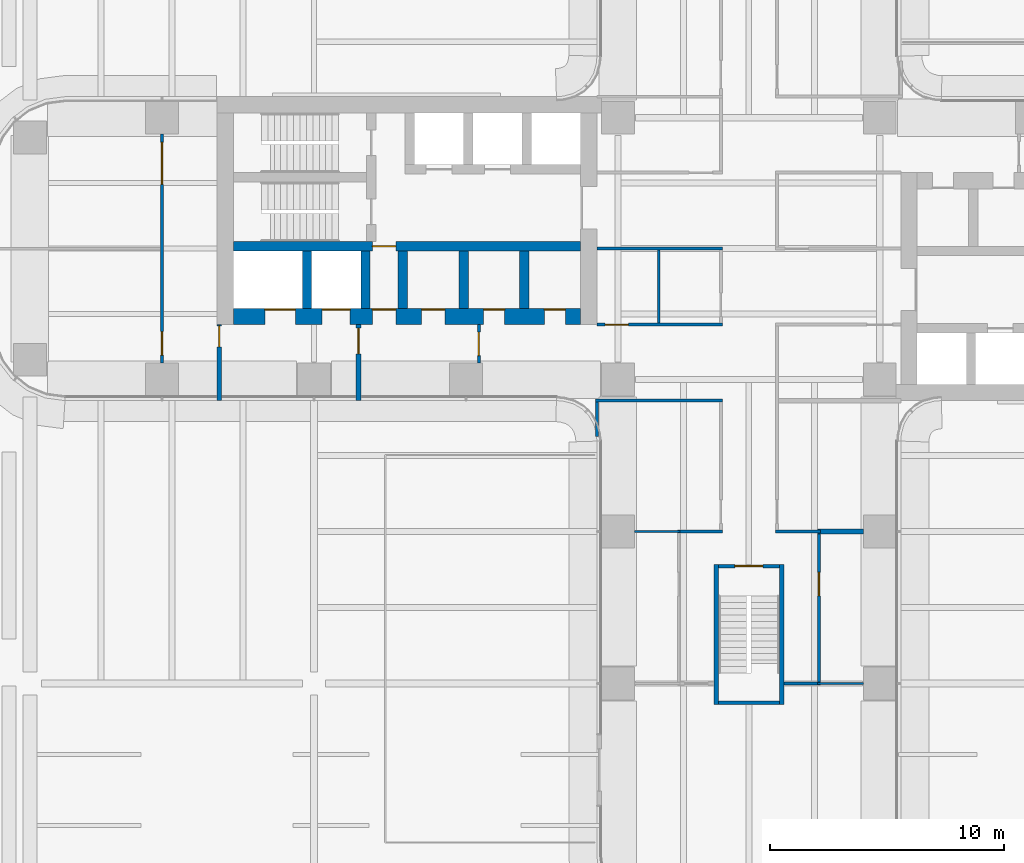
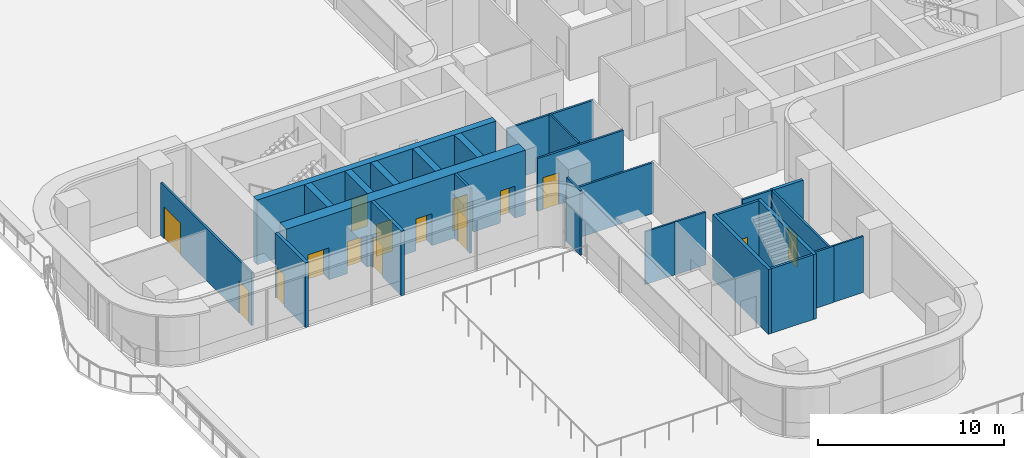
# One storey, part 21 of 29: 27 walls, 15 doors, 15 openings.
"""IFC4 building model written with IfcOpenShell, lengths in metres."""

from ifc_helpers import new_model, si_unit, direction, frame, frame_2d, origin, place, context, subcontext, project, spatial, rectangle, extrude, source, transform, mapped, material, layer, layer_set, type_object, element, fill, save


model = new_model("IFC4")

# Units and contexts
model_context = context("Model", 3, precision=1e-05, world=origin(), true_north=direction((0.0, 1.0)))
body_context = subcontext(model_context, "Body", "Model", "MODEL_VIEW")
ifc_project = project(units=[si_unit("LENGTHUNIT", "METRE"), si_unit("AREAUNIT", "SQUARE_METRE"), si_unit("VOLUMEUNIT", "CUBIC_METRE"), si_unit("PLANEANGLEUNIT", "RADIAN"), si_unit("MASSUNIT", "GRAM", prefix="KILO")], contexts=[model_context])

# Site, building, storey
site_placement = place(None, origin())
site = spatial("IfcSite", under=ifc_project, at=site_placement, CompositionType="ELEMENT")
building_placement = place(site_placement, origin())
building = spatial("IfcBuilding", under=site, at=building_placement, Name="Trellis Farm Tower", CompositionType="ELEMENT")
storey_placement = place(building_placement, frame((0.0, 0.0, 34.0)))
storey = spatial("IfcBuildingStorey", under=building, at=storey_placement, Name="L06", CompositionType="ELEMENT", Elevation=34.0)

# Walls
ifc_material_1 = material(Name="Concrete C80/95", Category="concrete")
ifc_layer_1 = layer(ifc_material_1, 0.39990234375)
ifc_layer_set_1 = layer_set([ifc_layer_1], Name="CORE INNER WALL 400 CONCRETE C80/95")
wall_type_1 = type_object("IfcWallType", Name="CORE INNER WALL 400 CONCRETE C80/95", PredefinedType="SHEAR", material=ifc_layer_set_1)
shared_shape_1 = source(origin(), body_context, "Body", "SweptSolid", [
    extrude(rectangle(XDim=2.449951171875, YDim=0.39990234375, at=frame_2d((1.22509765625, 0.0))), origin(), (0.0, 0.0, 1.0), 4.25),
])
for number, where, z_axis, x_axis, name in (
    (1, (-9.60009765625, -0.10009765625, 0.0), (0.0, 0.0, 1.0), (0.0, -1.0, 0.0), "Core wall"),
    (2, (-12.199951171875, -0.10009765625, 0.0), (0.0, 0.0, 1.0), (0.0, -1.0, 0.0), "Core wall"),
    (3, (-14.800048828125, -0.10009765625, 0.0), (0.0, 0.0, 1.0), (0.0, -1.0, 0.0), "Core wall"),
    (4, (-16.39990234375, -0.10009765625, 0.0), (0.0, 0.0, 1.0), (0.0, -1.0, 0.0), "Core wall"),
    (5, (-18.89990234375, -0.10009765625, 0.0), (0.0, 0.0, 1.0), (0.0, -1.0, 0.0), "Core wall"),
):
    element("IfcWall", number, at=place(storey_placement, frame(where, z_axis=z_axis, x_axis=x_axis)), inside=storey, type_object=wall_type_1, Name=name, PredefinedType="SHEAR", context=body_context, shape_type="MappedRepresentation", body=[
        mapped(shared_shape_1, transform((0.0, 0.0, 0.0))),
    ])

# Wall, opening, door
ifc_material_2 = material(Name="Masonry blockwork", Category="masonry")
ifc_layer_2 = layer(ifc_material_2, 0.199951171875)
ifc_layer_set_2 = layer_set([ifc_layer_2], Name="FIRE LOBBY PARTITION 200 BLOCKWORK")
wall_type_2 = type_object("IfcWallType", Name="FIRE LOBBY PARTITION 200 BLOCKWORK", PredefinedType="PARTITIONING", material=ifc_layer_set_2)
shared_shape_2 = source(origin(), body_context, "Body", "SweptSolid", [
    extrude(rectangle(XDim=3.25, YDim=0.199951171875, at=frame_2d((1.625, 0.0))), origin(), (0.0, 0.0, 1.0), 4.25),
])
wall_1_placement = place(storey_placement, frame((-16.699951171875, -3.25, 0.0), z_axis=(0.0, 0.0, 1.0), x_axis=(0.0, -1.0, 0.0)))
wall_1 = element("IfcWall", 6, at=wall_1_placement, inside=storey, type_object=wall_type_2, Name="Fire-fighting lobby partition", PredefinedType="PARTITIONING", context=body_context, shape_type="MappedRepresentation", body=[
    mapped(shared_shape_2, transform((0.0, 0.0, 0.0))),
])
shared_shape_3 = source(origin(), body_context, "Body", "SweptSolid", [
    extrude(rectangle(XDim=1.10009765625, YDim=2.10009765625, at=frame_2d((0.550048828125, 1.050048828125))), frame((0.0, 0.110107421875, 0.0), z_axis=(0.0, -1.0, 0.0), x_axis=(1.0, 0.0, 0.0)), (0.0, 0.0, 1.0), 0.22021484375),
])
opening_1_placement = place(wall_1_placement, frame((0.14990234375, 0.0, 0.0)))
opening_1 = element("IfcOpeningElement", 7, at=opening_1_placement, cuts=wall_1, Name="Opening DC93", PredefinedType="OPENING", context=body_context, shape_type="MappedRepresentation", body=[
    mapped(shared_shape_3, transform((0.0, 0.0, 0.0))),
])
ifc_material_3 = material(Name="Steel", Category="steel")
door_type_1 = type_object("IfcDoorType", Name="CORE FIRE DOOR 1100 X 2100", OperationType="NOTDEFINED", PredefinedType="DOOR", material=ifc_material_3)
shared_shape_4 = source(origin(), body_context, "Body", "SweptSolid", [
    extrude(rectangle(XDim=1.10009765625, YDim=2.10009765625, at=frame_2d((0.550048828125, 1.050048828125))), frame((0.0, 0.02490234375, 0.0), z_axis=(0.0, -1.0, 0.0), x_axis=(1.0, 0.0, 0.0)), (0.0, 0.0, 1.0), 0.050048828125),
])
door_1_placement = place(opening_1_placement, origin())
door_1 = element("IfcDoor", 8, at=door_1_placement, inside=storey, type_object=door_type_1, Name="Core door", OperationType="SINGLE_SWING_RIGHT", OverallHeight=2.10009765625, OverallWidth=1.10009765625, PredefinedType="DOOR", context=body_context, shape_type="MappedRepresentation", body=[
    mapped(shared_shape_4, transform((0.0, 0.0, 0.0))),
])
fill(opening_1, door_1)

wall_2_placement = place(storey_placement, frame((-22.64990234375, -3.25, 0.0), z_axis=(0.0, 0.0, 1.0), x_axis=(0.0, -1.0, 0.0)))
wall_2 = element("IfcWall", 9, at=wall_2_placement, inside=storey, type_object=wall_type_2, Name="Fire-fighting lobby partition", PredefinedType="PARTITIONING", context=body_context, shape_type="MappedRepresentation", body=[
    mapped(shared_shape_2, transform((0.0, 0.0, 0.0))),
])
shared_shape_5 = source(origin(), body_context, "Body", "SweptSolid", [
    extrude(rectangle(XDim=0.89990234375, YDim=2.10009765625, at=frame_2d((0.449951171875, 1.050048828125))), frame((0.0, 0.110107421875, 0.0), z_axis=(0.0, -1.0, 0.0), x_axis=(1.0, 0.0, 0.0)), (0.0, 0.0, 1.0), 0.22021484375),
])
opening_2_placement = place(wall_2_placement, frame((0.050048828125, 0.0, 0.0)))
opening_2 = element("IfcOpeningElement", 10, at=opening_2_placement, cuts=wall_2, Name="Opening DC94", PredefinedType="OPENING", context=body_context, shape_type="MappedRepresentation", body=[
    mapped(shared_shape_5, transform((0.0, 0.0, 0.0))),
])
door_type_2 = type_object("IfcDoorType", Name="CORE FIRE DOOR 900 X 2100", OperationType="NOTDEFINED", PredefinedType="DOOR", material=ifc_material_3)
shared_shape_6 = source(origin(), body_context, "Body", "SweptSolid", [
    extrude(rectangle(XDim=0.89990234375, YDim=2.10009765625, at=frame_2d((0.449951171875, 1.050048828125))), frame((0.0, 0.02490234375, 0.0), z_axis=(0.0, -1.0, 0.0), x_axis=(1.0, 0.0, 0.0)), (0.0, 0.0, 1.0), 0.050048828125),
])
door_2_placement = place(opening_2_placement, origin())
door_2 = element("IfcDoor", 11, at=door_2_placement, inside=storey, type_object=door_type_2, Name="Core door", OperationType="SINGLE_SWING_RIGHT", OverallHeight=2.10009765625, OverallWidth=0.89990234375, PredefinedType="DOOR", context=body_context, shape_type="MappedRepresentation", body=[
    mapped(shared_shape_6, transform((0.0, 0.0, 0.0))),
])
fill(opening_2, door_2)

# Wall, openings, doors
ifc_layer_3 = layer(ifc_material_1, 0.699951171875)
ifc_layer_set_3 = layer_set([ifc_layer_3], Name="CORE OUTER WALL 700 CONCRETE C80/95")
wall_type_3 = type_object("IfcWallType", Name="CORE OUTER WALL 700 CONCRETE C80/95", PredefinedType="SHEAR", material=ifc_layer_set_3)
shared_shape_7 = source(origin(), body_context, "Body", "SweptSolid", [
    extrude(rectangle(XDim=14.85009765625, YDim=0.699951171875, at=frame_2d((7.425048828125, 0.0))), origin(), (0.0, 0.0, 1.0), 4.25),
])
wall_3_placement = place(storey_placement, frame((-7.199951171875, -2.89990234375, 0.0), z_axis=(0.0, 0.0, 1.0), x_axis=(-1.0, 0.0, 0.0)))
wall_3 = element("IfcWall", 12, at=wall_3_placement, inside=storey, type_object=wall_type_3, Name="Core wall", PredefinedType="SHEAR", context=body_context, shape_type="MappedRepresentation", body=[
    mapped(shared_shape_7, transform((0.0, 0.0, 0.0))),
])
shared_shape_8 = source(origin(), body_context, "Body", "SweptSolid", [
    extrude(rectangle(XDim=1.300048828125, YDim=2.10009765625, at=frame_2d((0.64990234375, 1.050048828125))), frame((0.0, 0.360107421875, 0.0), z_axis=(0.0, -1.0, 0.0), x_axis=(1.0, 0.0, 0.0)), (0.0, 0.0, 1.0), 0.72021484375),
])
opening_3_placement = place(wall_3_placement, frame((12.199951171875, 0.0, 0.0)))
opening_3 = element("IfcOpeningElement", 13, at=opening_3_placement, cuts=wall_3, Name="Opening LD15", PredefinedType="OPENING", context=body_context, shape_type="MappedRepresentation", body=[
    mapped(shared_shape_8, transform((0.0, 0.0, 0.0))),
])
shared_shape_9 = source(origin(), body_context, "Body", "SweptSolid", [
    extrude(rectangle(XDim=1.199951171875, YDim=2.10009765625, at=frame_2d((0.60009765625, 1.050048828125))), frame((0.0, 0.360107421875, 0.0), z_axis=(0.0, -1.0, 0.0), x_axis=(1.0, 0.0, 0.0)), (0.0, 0.0, 1.0), 0.72021484375),
])
opening_4_placement = place(wall_3_placement, frame((9.85009765625, 0.0, 0.0)))
opening_4 = element("IfcOpeningElement", 14, at=opening_4_placement, cuts=wall_3, Name="Opening LD16", PredefinedType="OPENING", context=body_context, shape_type="MappedRepresentation", body=[
    mapped(shared_shape_9, transform((0.0, 0.0, 0.0))),
])
shared_shape_10 = source(origin(), body_context, "Body", "SweptSolid", [
    extrude(rectangle(XDim=1.0, YDim=2.10009765625, at=frame_2d((0.5, 1.050048828125))), frame((0.0, 0.360107421875, 0.0), z_axis=(0.0, -1.0, 0.0), x_axis=(1.0, 0.0, 0.0)), (0.0, 0.0, 1.0), 0.72021484375),
])
opening_5_placement = place(wall_3_placement, frame((7.89990234375, 0.0, 0.0)))
opening_5 = element("IfcOpeningElement", 15, at=opening_5_placement, cuts=wall_3, Name="Opening DC92", PredefinedType="OPENING", context=body_context, shape_type="MappedRepresentation", body=[
    mapped(shared_shape_10, transform((0.0, 0.0, 0.0))),
])
shared_shape_11 = source(origin(), body_context, "Body", "SweptSolid", [
    extrude(rectangle(XDim=0.89990234375, YDim=2.10009765625, at=frame_2d((0.449951171875, 1.050048828125))), frame((0.0, 0.360107421875, 0.0), z_axis=(0.0, -1.0, 0.0), x_axis=(1.0, 0.0, 0.0)), (0.0, 0.0, 1.0), 0.72021484375),
])
opening_6_placement = place(wall_3_placement, frame((0.64990234375, 0.0, 0.0)))
opening_6 = element("IfcOpeningElement", 16, at=opening_6_placement, cuts=wall_3, Name="Opening DC97", PredefinedType="OPENING", context=body_context, shape_type="MappedRepresentation", body=[
    mapped(shared_shape_11, transform((0.0, 0.0, 0.0))),
])
opening_7_placement = place(wall_3_placement, frame((3.25, 0.0, 0.0)))
opening_7 = element("IfcOpeningElement", 17, at=opening_7_placement, cuts=wall_3, Name="Opening DC110", PredefinedType="OPENING", context=body_context, shape_type="MappedRepresentation", body=[
    mapped(shared_shape_11, transform((0.0, 0.0, 0.0))),
])
opening_8_placement = place(wall_3_placement, frame((5.800048828125, 0.0, 0.0)))
opening_8 = element("IfcOpeningElement", 18, at=opening_8_placement, cuts=wall_3, Name="Opening DC123", PredefinedType="OPENING", context=body_context, shape_type="MappedRepresentation", body=[
    mapped(shared_shape_10, transform((0.0, 0.0, 0.0))),
])
door_type_3 = type_object("IfcDoorType", Name="CORE FIRE DOOR 1000 X 2100", OperationType="NOTDEFINED", PredefinedType="DOOR", material=ifc_material_3)
shared_shape_12 = source(origin(), body_context, "Body", "SweptSolid", [
    extrude(rectangle(XDim=1.0, YDim=2.10009765625, at=frame_2d((0.5, 1.050048828125))), frame((0.0, -0.27490234375, 0.0), z_axis=(0.0, -1.0, 0.0), x_axis=(1.0, 0.0, 0.0)), (0.0, 0.0, 1.0), 0.050048828125),
])
door_3_placement = place(opening_5_placement, origin())
door_3 = element("IfcDoor", 19, at=door_3_placement, inside=storey, type_object=door_type_3, Name="Core door", OperationType="SINGLE_SWING_LEFT", OverallHeight=2.10009765625, OverallWidth=1.0, PredefinedType="DOOR", context=body_context, shape_type="MappedRepresentation", body=[
    mapped(shared_shape_12, transform((0.0, 0.0, 0.0))),
])
fill(opening_5, door_3)
door_4_placement = place(opening_8_placement, origin())
door_4 = element("IfcDoor", 20, at=door_4_placement, inside=storey, type_object=door_type_3, Name="Core door", OperationType="SINGLE_SWING_LEFT", OverallHeight=2.10009765625, OverallWidth=1.0, PredefinedType="DOOR", context=body_context, shape_type="MappedRepresentation", body=[
    mapped(shared_shape_12, transform((0.0, 0.0, 0.0))),
])
fill(opening_8, door_4)
shared_shape_13 = source(origin(), body_context, "Body", "SweptSolid", [
    extrude(rectangle(XDim=0.89990234375, YDim=2.10009765625, at=frame_2d((0.449951171875, 1.050048828125))), frame((0.0, -0.27490234375, 0.0), z_axis=(0.0, -1.0, 0.0), x_axis=(1.0, 0.0, 0.0)), (0.0, 0.0, 1.0), 0.050048828125),
])
door_5_placement = place(opening_6_placement, origin())
door_5 = element("IfcDoor", 21, at=door_5_placement, inside=storey, type_object=door_type_2, Name="Core door", OperationType="SINGLE_SWING_LEFT", OverallHeight=2.10009765625, OverallWidth=0.89990234375, PredefinedType="DOOR", context=body_context, shape_type="MappedRepresentation", body=[
    mapped(shared_shape_13, transform((0.0, 0.0, 0.0))),
])
fill(opening_6, door_5)
door_6_placement = place(opening_7_placement, origin())
door_6 = element("IfcDoor", 22, at=door_6_placement, inside=storey, type_object=door_type_2, Name="Core door", OperationType="SINGLE_SWING_RIGHT", OverallHeight=2.10009765625, OverallWidth=0.89990234375, PredefinedType="DOOR", context=body_context, shape_type="MappedRepresentation", body=[
    mapped(shared_shape_13, transform((0.0, 0.0, 0.0))),
])
fill(opening_7, door_6)
ifc_material_4 = material(Name="Stainless steel", Category="steel")
door_type_4 = type_object("IfcDoorType", Name="LIFT LANDING DOOR 1300 X 2100", OperationType="DOUBLE_DOOR_SLIDING", PredefinedType="DOOR", material=ifc_material_4)
shared_shape_14 = source(origin(), body_context, "Body", "SweptSolid", [
    extrude(rectangle(XDim=1.300048828125, YDim=2.10009765625, at=frame_2d((0.64990234375, 1.050048828125))), frame((0.0, -0.27490234375, 0.0), z_axis=(0.0, -1.0, 0.0), x_axis=(1.0, 0.0, 0.0)), (0.0, 0.0, 1.0), 0.050048828125),
])
door_7_placement = place(opening_3_placement, origin())
door_7 = element("IfcDoor", 23, at=door_7_placement, inside=storey, type_object=door_type_4, Name="Lift landing door", OperationType="DOUBLE_DOOR_SLIDING", OverallHeight=2.10009765625, OverallWidth=1.300048828125, PredefinedType="DOOR", context=body_context, shape_type="MappedRepresentation", body=[
    mapped(shared_shape_14, transform((0.0, 0.0, 0.0))),
])
fill(opening_3, door_7)
door_type_5 = type_object("IfcDoorType", Name="LIFT LANDING DOOR 1200 X 2100", OperationType="DOUBLE_DOOR_SLIDING", PredefinedType="DOOR", material=ifc_material_4)
shared_shape_15 = source(origin(), body_context, "Body", "SweptSolid", [
    extrude(rectangle(XDim=1.199951171875, YDim=2.10009765625, at=frame_2d((0.60009765625, 1.050048828125))), frame((0.0, -0.27490234375, 0.0), z_axis=(0.0, -1.0, 0.0), x_axis=(1.0, 0.0, 0.0)), (0.0, 0.0, 1.0), 0.050048828125),
])
door_8_placement = place(opening_4_placement, origin())
door_8 = element("IfcDoor", 24, at=door_8_placement, inside=storey, type_object=door_type_5, Name="Lift landing door", OperationType="DOUBLE_DOOR_SLIDING", OverallHeight=2.10009765625, OverallWidth=1.199951171875, PredefinedType="DOOR", context=body_context, shape_type="MappedRepresentation", body=[
    mapped(shared_shape_15, transform((0.0, 0.0, 0.0))),
])
fill(opening_4, door_8)

# Wall, opening, door
shared_shape_16 = source(origin(), body_context, "Body", "SweptSolid", [
    extrude(rectangle(XDim=14.85009765625, YDim=0.39990234375, at=frame_2d((7.425048828125, 0.0))), origin(), (0.0, 0.0, 1.0), 4.25),
])
wall_4_placement = place(storey_placement, frame((-7.199951171875, 0.10009765625, 0.0), z_axis=(0.0, 0.0, 1.0), x_axis=(-1.0, 0.0, 0.0)))
wall_4 = element("IfcWall", 25, at=wall_4_placement, inside=storey, type_object=wall_type_1, Name="Core wall", PredefinedType="SHEAR", context=body_context, shape_type="MappedRepresentation", body=[
    mapped(shared_shape_16, transform((0.0, 0.0, 0.0))),
])
shared_shape_17 = source(origin(), body_context, "Body", "SweptSolid", [
    extrude(rectangle(XDim=1.0, YDim=2.10009765625, at=frame_2d((0.5, 1.050048828125))), frame((0.0, 0.2099609375, 0.0), z_axis=(0.0, -1.0, 0.0), x_axis=(1.0, 0.0, 0.0)), (0.0, 0.0, 1.0), 0.419921875),
])
opening_9_placement = place(wall_4_placement, frame((7.89990234375, 0.0, 0.0)))
opening_9 = element("IfcOpeningElement", 26, at=opening_9_placement, cuts=wall_4, Name="Opening DC91", PredefinedType="OPENING", context=body_context, shape_type="MappedRepresentation", body=[
    mapped(shared_shape_17, transform((0.0, 0.0, 0.0))),
])
shared_shape_18 = source(origin(), body_context, "Body", "SweptSolid", [
    extrude(rectangle(XDim=1.0, YDim=2.10009765625, at=frame_2d((0.5, 1.050048828125))), frame((0.0, 0.02490234375, 0.0), z_axis=(0.0, -1.0, 0.0), x_axis=(1.0, 0.0, 0.0)), (0.0, 0.0, 1.0), 0.050048828125),
])
door_9_placement = place(opening_9_placement, origin())
door_9 = element("IfcDoor", 27, at=door_9_placement, inside=storey, type_object=door_type_3, Name="Core door", OperationType="SINGLE_SWING_RIGHT", OverallHeight=2.10009765625, OverallWidth=1.0, PredefinedType="DOOR", context=body_context, shape_type="MappedRepresentation", body=[
    mapped(shared_shape_18, transform((0.0, 0.0, 0.0))),
])
fill(opening_9, door_9)

# Walls
ifc_layer_4 = layer(ifc_material_1, 0.199951171875)
ifc_layer_set_4 = layer_set([ifc_layer_4], Name="CORE STAIR ENCLOSURE WALL 200 CONCRETE C80/95")
wall_type_4 = type_object("IfcWallType", Name="CORE STAIR ENCLOSURE WALL 200 CONCRETE C80/95", PredefinedType="SHEAR", material=ifc_layer_set_4)
shared_shape_19 = source(origin(), body_context, "Body", "SweptSolid", [
    extrude(rectangle(XDim=6.0, YDim=0.199951171875, at=frame_2d((3.0, 0.0))), origin(), (0.0, 0.0, 1.0), 4.25),
])
for number, where, z_axis, x_axis, name in (
    (28, (1.39990234375, -13.5, 0.0), (0.0, 0.0, 1.0), (0.0, -1.0, 0.0), "Stair enclosure wall"),
    (29, (-1.39990234375, -13.5, 0.0), (0.0, 0.0, 1.0), (0.0, -1.0, 0.0), "Stair enclosure wall"),
):
    element("IfcWall", number, at=place(storey_placement, frame(where, z_axis=z_axis, x_axis=x_axis)), inside=storey, type_object=wall_type_4, Name=name, PredefinedType="SHEAR", context=body_context, shape_type="MappedRepresentation", body=[
        mapped(shared_shape_19, transform((0.0, 0.0, 0.0))),
    ])

# Wall, opening, door
ifc_layer_5 = layer(ifc_material_1, 0.14990234375)
ifc_layer_set_5 = layer_set([ifc_layer_5], Name="CORE STAIR ENCLOSURE WALL 150 CONCRETE C80/95")
wall_type_5 = type_object("IfcWallType", Name="CORE STAIR ENCLOSURE WALL 150 CONCRETE C80/95", PredefinedType="SHEAR", material=ifc_layer_set_5)
shared_shape_20 = source(origin(), body_context, "Body", "SweptSolid", [
    extrude(rectangle(XDim=2.60009765625, YDim=0.14990234375, at=frame_2d((1.300048828125, 0.0))), origin(), (0.0, 0.0, 1.0), 4.25),
])
wall_5_placement = place(storey_placement, frame((1.300048828125, -13.574951171875, 0.0), z_axis=(0.0, 0.0, 1.0), x_axis=(-1.0, 0.0, 0.0)))
wall_5 = element("IfcWall", 30, at=wall_5_placement, inside=storey, type_object=wall_type_5, Name="Stair enclosure wall", PredefinedType="SHEAR", context=body_context, shape_type="MappedRepresentation", body=[
    mapped(shared_shape_20, transform((0.0, 0.0, 0.0))),
])
shared_shape_21 = source(origin(), body_context, "Body", "SweptSolid", [
    extrude(rectangle(XDim=1.199951171875, YDim=2.10009765625, at=frame_2d((0.60009765625, 1.050048828125))), frame((0.0, 0.0849609375, 0.0), z_axis=(0.0, -1.0, 0.0), x_axis=(1.0, 0.0, 0.0)), (0.0, 0.0, 1.0), 0.169921875),
])
opening_10_placement = place(wall_5_placement, frame((0.699951171875, 0.0, 0.0)))
opening_10 = element("IfcOpeningElement", 31, at=opening_10_placement, cuts=wall_5, Name="Opening DC174", PredefinedType="OPENING", context=body_context, shape_type="MappedRepresentation", body=[
    mapped(shared_shape_21, transform((0.0, 0.0, 0.0))),
])
door_type_6 = type_object("IfcDoorType", Name="CORE FIRE DOOR 1200 X 2100", OperationType="NOTDEFINED", PredefinedType="DOOR", material=ifc_material_3)
shared_shape_22 = source(origin(), body_context, "Body", "SweptSolid", [
    extrude(rectangle(XDim=1.199951171875, YDim=2.10009765625, at=frame_2d((0.60009765625, 1.050048828125))), frame((0.0, 0.02490234375, 0.0), z_axis=(0.0, -1.0, 0.0), x_axis=(1.0, 0.0, 0.0)), (0.0, 0.0, 1.0), 0.050048828125),
])
door_10_placement = place(opening_10_placement, origin())
door_10 = element("IfcDoor", 32, at=door_10_placement, inside=storey, type_object=door_type_6, Name="Core door", OperationType="SINGLE_SWING_RIGHT", OverallHeight=2.10009765625, OverallWidth=1.199951171875, PredefinedType="DOOR", context=body_context, shape_type="MappedRepresentation", body=[
    mapped(shared_shape_22, transform((0.0, 0.0, 0.0))),
])
fill(opening_10, door_10)

# Wall
wall_6_placement = place(storey_placement, frame((1.300048828125, -19.425048828125, 0.0), z_axis=(0.0, 0.0, 1.0), x_axis=(-1.0, 0.0, 0.0)))
element("IfcWall", 33, at=wall_6_placement, inside=storey, type_object=wall_type_5, Name="Stair enclosure wall", PredefinedType="SHEAR", context=body_context, shape_type="MappedRepresentation", body=[
    mapped(shared_shape_20, transform((0.0, 0.0, 0.0))),
])

# Wall, opening, door
ifc_material_5 = material(Name="Plasterboard on steel studs, mineral wool", Category="steel")
ifc_layer_6 = layer(ifc_material_5, 0.125)
ifc_layer_set_6 = layer_set([ifc_layer_6], Name="PARTITION 125 STUD EI 60")
wall_type_6 = type_object("IfcWallType", Name="PARTITION 125 STUD EI 60", PredefinedType="PARTITIONING", material=ifc_layer_set_6)
shared_shape_23 = source(origin(), body_context, "Body", "SweptSolid", [
    extrude(rectangle(XDim=6.35009765625, YDim=0.125, at=frame_2d((3.175048828125, 0.0))), origin(), (0.0, 0.0, 1.0), 3.4677734375),
])
wall_7_placement = place(storey_placement, frame((3.0, -12.199951171875, 0.0), z_axis=(0.0, 0.0, 1.0), x_axis=(0.0, -1.0, 0.0)))
wall_7 = element("IfcWall", 34, at=wall_7_placement, inside=storey, type_object=wall_type_6, Name="Partition PW1", PredefinedType="PARTITIONING", context=body_context, shape_type="MappedRepresentation", body=[
    mapped(shared_shape_23, transform((0.0, 0.0, 0.0))),
])
shared_shape_24 = source(origin(), body_context, "Body", "SweptSolid", [
    extrude(rectangle(XDim=1.0, YDim=2.10009765625, at=frame_2d((0.5, 1.050048828125))), frame((0.0, 0.072509765625, 0.0), z_axis=(0.0, -1.0, 0.0), x_axis=(1.0, 0.0, 0.0)), (0.0, 0.0, 1.0), 0.14501953125),
])
opening_11_placement = place(wall_7_placement, frame((1.64990234375, 0.0, 0.0)))
opening_11 = element("IfcOpeningElement", 35, at=opening_11_placement, cuts=wall_7, Name="Opening D103", PredefinedType="OPENING", context=body_context, shape_type="MappedRepresentation", body=[
    mapped(shared_shape_24, transform((0.0, 0.0, 0.0))),
])
ifc_material_6 = material(Name="Fire-rated timber door leaf in a hollow metal frame", Category="wood")
door_type_7 = type_object("IfcDoorType", Name="DOOR 1000x2100 FD30S", OperationType="NOTDEFINED", PredefinedType="DOOR", material=ifc_material_6)
door_11_placement = place(opening_11_placement, origin())
door_11 = element("IfcDoor", 36, at=door_11_placement, inside=storey, type_object=door_type_7, Name="Door D103", OperationType="SINGLE_SWING_LEFT", OverallHeight=2.10009765625, OverallWidth=1.0, PredefinedType="DOOR", context=body_context, shape_type="MappedRepresentation", body=[
    mapped(shared_shape_18, transform((0.0, 0.0, 0.0))),
])
fill(opening_11, door_11)

# Wall
shared_shape_25 = source(origin(), body_context, "Body", "SweptSolid", [
    extrude(rectangle(XDim=1.468994140625, YDim=0.125, at=frame_2d((0.734375, 0.0))), origin(), (0.0, 0.0, 1.0), 4.25),
])
wall_8_placement = place(storey_placement, frame((-6.5, -6.5625, 0.0), z_axis=(0.0, 0.0, 1.0), x_axis=(0.0, -1.0, 0.0)))
element("IfcWall", 37, at=wall_8_placement, inside=storey, type_object=wall_type_6, Name="Partition PW1", PredefinedType="PARTITIONING", context=body_context, shape_type="MappedRepresentation", body=[
    mapped(shared_shape_25, transform((0.0, 0.0, 0.0))),
])

# Wall, opening, door
shared_shape_26 = source(origin(), body_context, "Body", "SweptSolid", [
    extrude(rectangle(XDim=1.64990234375, YDim=0.125, at=frame_2d((0.824951171875, 0.0))), origin(), (0.0, 0.0, 1.0), 4.25),
])
wall_9_placement = place(storey_placement, frame((-11.550048828125, -4.89990234375, 0.0), z_axis=(0.0, 0.0, 1.0), x_axis=(0.0, 1.0, 0.0)))
wall_9 = element("IfcWall", 38, at=wall_9_placement, inside=storey, type_object=wall_type_6, Name="Partition PW1", PredefinedType="PARTITIONING", context=body_context, shape_type="MappedRepresentation", body=[
    mapped(shared_shape_26, transform((0.0, 0.0, 0.0))),
])
opening_12_placement = place(wall_9_placement, frame((0.324951171875, 0.0, 0.0)))
opening_12 = element("IfcOpeningElement", 39, at=opening_12_placement, cuts=wall_9, Name="Opening D302", PredefinedType="OPENING", context=body_context, shape_type="MappedRepresentation", body=[
    mapped(shared_shape_24, transform((0.0, 0.0, 0.0))),
])
door_type_8 = type_object("IfcDoorType", Name="DOOR 1000x2100 FD60", OperationType="NOTDEFINED", PredefinedType="DOOR", material=ifc_material_6)
door_12_placement = place(opening_12_placement, origin())
door_12 = element("IfcDoor", 40, at=door_12_placement, inside=storey, type_object=door_type_8, Name="Door D302", OperationType="SINGLE_SWING_LEFT", OverallHeight=2.10009765625, OverallWidth=1.0, PredefinedType="DOOR", context=body_context, shape_type="MappedRepresentation", body=[
    mapped(shared_shape_18, transform((0.0, 0.0, 0.0))),
])
fill(opening_12, door_12)

# Wall, openings, doors
shared_shape_27 = source(origin(), body_context, "Body", "SweptSolid", [
    extrude(rectangle(XDim=9.7998046875, YDim=0.125, at=frame_2d((4.89990234375, 0.0))), origin(), (0.0, 0.0, 1.0), 3.4677734375),
])
wall_10_placement = place(storey_placement, frame((-25.10009765625, -4.89990234375, 0.0), z_axis=(0.0, 0.0, 1.0), x_axis=(0.0, 1.0, 0.0)))
wall_10 = element("IfcWall", 41, at=wall_10_placement, inside=storey, type_object=wall_type_6, Name="Partition PW1", PredefinedType="PARTITIONING", context=body_context, shape_type="MappedRepresentation", body=[
    mapped(shared_shape_27, transform((0.0, 0.0, 0.0))),
])
opening_13_placement = place(wall_10_placement, frame((0.35009765625, 0.0, 0.0)))
opening_13 = element("IfcOpeningElement", 42, at=opening_13_placement, cuts=wall_10, Name="Opening D105", PredefinedType="OPENING", context=body_context, shape_type="MappedRepresentation", body=[
    mapped(shared_shape_24, transform((0.0, 0.0, 0.0))),
])
shared_shape_28 = source(origin(), body_context, "Body", "SweptSolid", [
    extrude(rectangle(XDim=1.800048828125, YDim=2.10009765625, at=frame_2d((0.89990234375, 1.050048828125))), frame((0.0, 0.072509765625, 0.0), z_axis=(0.0, -1.0, 0.0), x_axis=(1.0, 0.0, 0.0)), (0.0, 0.0, 1.0), 0.14501953125),
])
opening_14_placement = place(wall_10_placement, frame((7.64990234375, 0.0, 0.0)))
opening_14 = element("IfcOpeningElement", 43, at=opening_14_placement, cuts=wall_10, Name="Opening D201", PredefinedType="OPENING", context=body_context, shape_type="MappedRepresentation", body=[
    mapped(shared_shape_28, transform((0.0, 0.0, 0.0))),
])
door_13_placement = place(opening_13_placement, origin())
door_13 = element("IfcDoor", 44, at=door_13_placement, inside=storey, type_object=door_type_7, Name="Door D105", OperationType="SINGLE_SWING_LEFT", OverallHeight=2.10009765625, OverallWidth=1.0, PredefinedType="DOOR", context=body_context, shape_type="MappedRepresentation", body=[
    mapped(shared_shape_18, transform((0.0, 0.0, 0.0))),
])
fill(opening_13, door_13)
door_type_9 = type_object("IfcDoorType", Name="DOOR PAIR 1800x2100 FD30S", OperationType="NOTDEFINED", PredefinedType="DOOR", material=ifc_material_6)
shared_shape_29 = source(origin(), body_context, "Body", "SweptSolid", [
    extrude(rectangle(XDim=1.800048828125, YDim=2.10009765625, at=frame_2d((0.89990234375, 1.050048828125))), frame((0.0, 0.02490234375, 0.0), z_axis=(0.0, -1.0, 0.0), x_axis=(1.0, 0.0, 0.0)), (0.0, 0.0, 1.0), 0.050048828125),
])
door_14_placement = place(opening_14_placement, origin())
door_14 = element("IfcDoor", 45, at=door_14_placement, inside=storey, type_object=door_type_9, Name="Door D201", OperationType="DOUBLE_DOOR_SINGLE_SWING", OverallHeight=2.10009765625, OverallWidth=1.800048828125, PredefinedType="DOOR", context=body_context, shape_type="MappedRepresentation", body=[
    mapped(shared_shape_29, transform((0.0, 0.0, 0.0))),
])
fill(opening_14, door_14)

# Walls
ifc_material_7 = material(Name="Plasterboard on steel studs", Category="steel")
ifc_layer_7 = layer(ifc_material_7, 0.10009765625)
ifc_layer_set_7 = layer_set([ifc_layer_7], Name="PARTITION 100 STUD EI 30")
wall_type_7 = type_object("IfcWallType", Name="PARTITION 100 STUD EI 30", PredefinedType="PARTITIONING", material=ifc_layer_set_7)
shared_shape_30 = source(origin(), body_context, "Body", "SweptSolid", [
    extrude(rectangle(XDim=1.96240234375, YDim=0.10009765625, at=frame_2d((0.981201171875, 0.0))), origin(), (0.0, 0.0, 1.0), 3.69677734375),
])
wall_11_placement = place(storey_placement, frame((2.9375, -18.60009765625, 0.0), z_axis=(0.0, 0.0, 1.0), x_axis=(1.0, 0.0, 0.0)))
element("IfcWall", 46, at=wall_11_placement, inside=storey, type_object=wall_type_7, Name="Partition PW2", PredefinedType="PARTITIONING", context=body_context, shape_type="MappedRepresentation", body=[
    mapped(shared_shape_30, transform((0.0, 0.0, 0.0))),
])
shared_shape_31 = source(origin(), body_context, "Body", "SweptSolid", [
    extrude(rectangle(XDim=1.5625, YDim=0.125, at=frame_2d((0.78125, 0.0))), origin(), (0.0, 0.0, 1.0), 3.69677734375),
])
wall_12_placement = place(storey_placement, frame((3.0625, -18.60009765625, 0.0), z_axis=(0.0, 0.0, 1.0), x_axis=(-1.0, 0.0, 0.0)))
element("IfcWall", 47, at=wall_12_placement, inside=storey, type_object=wall_type_6, Name="Partition PW1", PredefinedType="PARTITIONING", context=body_context, shape_type="MappedRepresentation", body=[
    mapped(shared_shape_31, transform((0.0, 0.0, 0.0))),
])
shared_shape_32 = source(origin(), body_context, "Body", "SweptSolid", [
    extrude(rectangle(XDim=1.925048828125, YDim=0.125, at=frame_2d((0.96240234375, 0.0))), origin(), (0.0, 0.0, 1.0), 3.4677734375),
])
for number, where, z_axis, x_axis, name in (
    (48, (-3.0625, -12.10009765625, 0.0), (0.0, 0.0, 1.0), (1.0, 0.0, 0.0), "Partition PW1"),
    (49, (1.137451171875, -12.10009765625, 0.0), (0.0, 0.0, 1.0), (1.0, 0.0, 0.0), "Partition PW1"),
):
    element("IfcWall", number, at=place(storey_placement, frame(where, z_axis=z_axis, x_axis=x_axis)), inside=storey, type_object=wall_type_6, Name=name, PredefinedType="PARTITIONING", context=body_context, shape_type="MappedRepresentation", body=[
        mapped(shared_shape_32, transform((0.0, 0.0, 0.0))),
    ])

# Wall, opening, door
shared_shape_33 = source(origin(), body_context, "Body", "SweptSolid", [
    extrude(rectangle(XDim=5.362548828125, YDim=0.125, at=frame_2d((2.68115234375, 0.0))), origin(), (0.0, 0.0, 1.0), 3.4677734375),
])
wall_13_placement = place(storey_placement, frame((-1.137451171875, -3.25, 0.0), z_axis=(0.0, 0.0, 1.0), x_axis=(-1.0, 0.0, 0.0)))
wall_13 = element("IfcWall", 50, at=wall_13_placement, inside=storey, type_object=wall_type_6, Name="Partition PW1", PredefinedType="PARTITIONING", context=body_context, shape_type="MappedRepresentation", body=[
    mapped(shared_shape_33, transform((0.0, 0.0, 0.0))),
])
opening_15_placement = place(wall_13_placement, frame((4.012451171875, 0.0, 0.0)))
opening_15 = element("IfcOpeningElement", 51, at=opening_15_placement, cuts=wall_13, Name="Opening D106", PredefinedType="OPENING", context=body_context, shape_type="MappedRepresentation", body=[
    mapped(shared_shape_24, transform((0.0, 0.0, 0.0))),
])
door_15_placement = place(opening_15_placement, origin())
door_15 = element("IfcDoor", 52, at=door_15_placement, inside=storey, type_object=door_type_7, Name="Door D106", OperationType="SINGLE_SWING_RIGHT", OverallHeight=2.10009765625, OverallWidth=1.0, PredefinedType="DOOR", context=body_context, shape_type="MappedRepresentation", body=[
    mapped(shared_shape_18, transform((0.0, 0.0, 0.0))),
])
fill(opening_15, door_15)

# Walls
wall_14_placement = place(storey_placement, frame((-1.137451171875, 0.0, 0.0), z_axis=(0.0, 0.0, 1.0), x_axis=(-1.0, 0.0, 0.0)))
element("IfcWall", 53, at=wall_14_placement, inside=storey, type_object=wall_type_6, Name="Partition PW1", PredefinedType="PARTITIONING", context=body_context, shape_type="MappedRepresentation", body=[
    mapped(shared_shape_33, transform((0.0, 0.0, 0.0))),
])
shared_shape_34 = source(origin(), body_context, "Body", "SweptSolid", [
    extrude(rectangle(XDim=5.425048828125, YDim=0.125, at=frame_2d((2.71240234375, 0.0))), origin(), (0.0, 0.0, 1.0), 3.330078125),
])
wall_15_placement = place(storey_placement, frame((-1.137451171875, -6.5, 0.0), z_axis=(0.0, 0.0, 1.0), x_axis=(-1.0, 0.0, 0.0)))
element("IfcWall", 54, at=wall_15_placement, inside=storey, type_object=wall_type_6, Name="Partition PW1", PredefinedType="PARTITIONING", context=body_context, shape_type="MappedRepresentation", body=[
    mapped(shared_shape_34, transform((0.0, 0.0, 0.0))),
])
ifc_material_8 = material(Name="Lightweight blockwork, plastered", Category="masonry")
ifc_layer_8 = layer(ifc_material_8, 0.199951171875)
ifc_layer_set_8 = layer_set([ifc_layer_8], Name="BLOCK WALL 200 EI 120")
wall_type_8 = type_object("IfcWallType", Name="BLOCK WALL 200 EI 120", PredefinedType="PARTITIONING", material=ifc_layer_set_8)
shared_shape_35 = source(origin(), body_context, "Body", "SweptSolid", [
    extrude(rectangle(XDim=1.96240234375, YDim=0.199951171875, at=frame_2d((0.981201171875, 0.0))), origin(), (0.0, 0.0, 1.0), 3.4677734375),
])
wall_16_placement = place(storey_placement, frame((2.9375, -12.10009765625, 0.0), z_axis=(0.0, 0.0, 1.0), x_axis=(1.0, 0.0, 0.0)))
element("IfcWall", 55, at=wall_16_placement, inside=storey, type_object=wall_type_8, Name="Partition PW3", PredefinedType="PARTITIONING", context=body_context, shape_type="MappedRepresentation", body=[
    mapped(shared_shape_35, transform((0.0, 0.0, 0.0))),
])
shared_shape_36 = source(origin(), body_context, "Body", "SweptSolid", [
    extrude(rectangle(XDim=3.125, YDim=0.10009765625, at=frame_2d((1.5625, 0.0))), origin(), (0.0, 0.0, 1.0), 3.54638671875),
])
wall_17_placement = place(storey_placement, frame((-3.85009765625, -3.1875, 0.0), z_axis=(0.0, 0.0, 1.0), x_axis=(0.0, 1.0, 0.0)))
element("IfcWall", 56, at=wall_17_placement, inside=storey, type_object=wall_type_7, Name="Partition PW2", PredefinedType="PARTITIONING", context=body_context, shape_type="MappedRepresentation", body=[
    mapped(shared_shape_36, transform((0.0, 0.0, 0.0))),
])
shared_shape_37 = source(origin(), body_context, "Body", "SweptSolid", [
    extrude(rectangle(XDim=1.96240234375, YDim=0.10009765625, at=frame_2d((0.981201171875, 0.0))), origin(), (0.0, 0.0, 1.0), 3.4677734375),
])
wall_18_placement = place(storey_placement, frame((-4.89990234375, -12.10009765625, 0.0), z_axis=(0.0, 0.0, 1.0), x_axis=(1.0, 0.0, 0.0)))
element("IfcWall", 57, at=wall_18_placement, inside=storey, type_object=wall_type_7, Name="Partition PW2", PredefinedType="PARTITIONING", context=body_context, shape_type="MappedRepresentation", body=[
    mapped(shared_shape_37, transform((0.0, 0.0, 0.0))),
])

save(model, "model.ifc")
